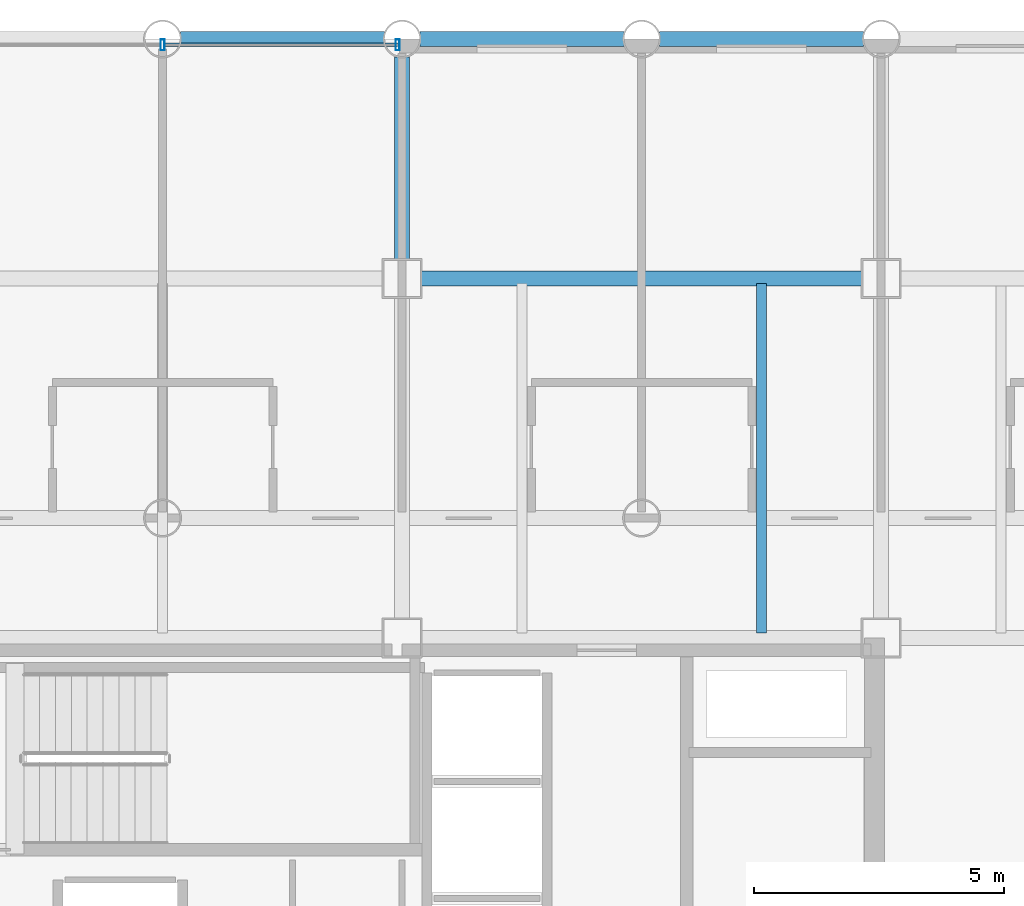
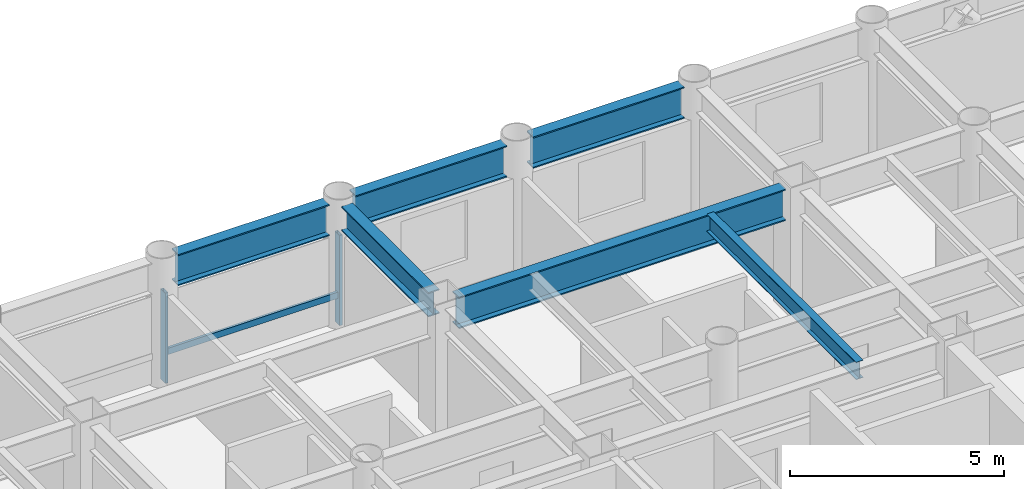
# One storey, part 12 of 22: 6 beams, 3 members, 1 element without a shape of its own.
"""IFC4 building model written with IfcOpenShell, lengths in metres."""

from ifc_helpers import new_model, si_unit, direction, frame, origin, origin_2d, place, context, subcontext, project, spatial, hollow_rectangle, i_section, extrude, material, layer, layer_set, material_profile, profile_set, type_object, element, aggregate, save


model = new_model("IFC4")

# Units and contexts
model_context = context("Model", 3, precision=1e-05, world=origin(), true_north=direction((0.0, 1.0)))
body_context = subcontext(model_context, "Body", "Model", "MODEL_VIEW")
ifc_project = project(units=[si_unit("LENGTHUNIT", "METRE"), si_unit("AREAUNIT", "SQUARE_METRE"), si_unit("VOLUMEUNIT", "CUBIC_METRE"), si_unit("PLANEANGLEUNIT", "RADIAN"), si_unit("MASSUNIT", "GRAM", prefix="KILO")], contexts=[model_context])

# Site, building, storey
site_placement = place(None, origin())
site = spatial("IfcSite", under=ifc_project, at=site_placement, CompositionType="ELEMENT")
building_placement = place(site_placement, origin())
building = spatial("IfcBuilding", under=site, at=building_placement, Name="Kallvorn Hotel Tower", CompositionType="ELEMENT")
storey_placement = place(building_placement, frame((0.0, 0.0, 33.699951171875)))
storey = spatial("IfcBuildingStorey", under=building, at=storey_placement, Name="L06", CompositionType="ELEMENT", Elevation=33.699951171875)

# Beams
ifc_material_1 = material(Name="Structural steel S355JR", Category="steel")
ifc_material_profile_1 = material_profile(ifc_material_1, i_section(OverallWidth=0.300048828125, OverallDepth=0.699951171875, WebThickness=0.01708984375, FlangeThickness=0.031982421875, at=origin_2d()), Name="HE 700 B")
ifc_profile_set_1 = profile_set([ifc_material_profile_1], Name="Structural steel S355JR")
beam_type_1 = type_object("IfcBeamType", Name="BM_HE700B", PredefinedType="BEAM", material=ifc_profile_set_1)
beam_1_placement = place(storey_placement, frame((4.800048828125, 14.77490234375, 3.170166015625), z_axis=(0.0, 1.0, 0.0), x_axis=(-1.0, 0.0, 0.0)))
element("IfcBeam", 1, at=beam_1_placement, inside=storey, type_object=beam_type_1, Name="L07 Primary Y-Girder 118", PredefinedType="BEAM", context=body_context, shape_type="SweptSolid", body=[
    extrude(i_section(OverallWidth=0.300048828125, OverallDepth=0.699951171875, WebThickness=0.01708984375, FlangeThickness=0.031982421875, at=origin_2d()), origin(), (0.0, 0.0, 1.0), 4.069091796875),
])
ifc_material_2 = material(Name="Structural steel S355JR", Category="steel")
ifc_material_profile_2 = material_profile(ifc_material_2, i_section(OverallWidth=0.300048828125, OverallDepth=0.89990234375, WebThickness=0.0185546875, FlangeThickness=0.034912109375, at=origin_2d()), Name="HE 900 B")
ifc_profile_set_2 = profile_set([ifc_material_profile_2], Name="Structural steel S355JR")
beam_type_2 = type_object("IfcBeamType", Name="BM_HE900B", PredefinedType="BEAM", material=ifc_profile_set_2)
beam_2_placement = place(storey_placement, frame((5.175048828125, 14.39990234375, 3.070068359375), z_axis=(1.0, 0.0, 0.0), x_axis=(0.0, 1.0, 0.0)))
element("IfcBeam", 2, at=beam_2_placement, inside=storey, type_object=beam_type_2, Name="L07 Primary X-Girder 57", PredefinedType="BEAM", context=body_context, shape_type="SweptSolid", body=[
    extrude(i_section(OverallWidth=0.300048828125, OverallDepth=0.89990234375, WebThickness=0.0185546875, FlangeThickness=0.034912109375, at=origin_2d()), origin(), (0.0, 0.0, 1.0), 8.849853515625),
])
beam_3_placement = place(storey_placement, frame((0.35595703125, 19.199951171875, 3.070068359375), z_axis=(1.0, 0.0, 0.0), x_axis=(0.0, 1.0, 0.0)))
element("IfcBeam", 3, at=beam_3_placement, inside=storey, type_object=beam_type_2, Name="L07 Primary X-Girder 67", PredefinedType="BEAM", context=body_context, shape_type="SweptSolid", body=[
    extrude(i_section(OverallWidth=0.300048828125, OverallDepth=0.89990234375, WebThickness=0.0185546875, FlangeThickness=0.034912109375, at=origin_2d()), origin(), (0.0, 0.0, 1.0), 4.088134765625),
])
for number, where, z_axis, x_axis, name in (
    (4, (5.156005859375, 19.199951171875, 3.070068359375), (1.0, 0.0, 0.0), (0.0, 1.0, 0.0), "L07 Primary X-Girder 68"),
    (5, (9.9560546875, 19.199951171875, 3.070068359375), (1.0, 0.0, 0.0), (0.0, 1.0, 0.0), "L07 Primary X-Girder 69"),
):
    element("IfcBeam", number, at=place(storey_placement, frame(where, z_axis=z_axis, x_axis=x_axis)), inside=storey, type_object=beam_type_2, Name=name, PredefinedType="BEAM", context=body_context, shape_type="SweptSolid", body=[
        extrude(i_section(OverallWidth=0.300048828125, OverallDepth=0.89990234375, WebThickness=0.0185546875, FlangeThickness=0.034912109375, at=origin_2d()), origin(), (0.0, 0.0, 1.0), 4.087890625),
    ])
ifc_material_3 = material(Name="Structural steel S355JR", Category="steel")
ifc_material_profile_3 = material_profile(ifc_material_3, i_section(OverallWidth=0.199951171875, OverallDepth=0.5, WebThickness=0.01025390625, FlangeThickness=0.01611328125, at=origin_2d()), Name="IPE 500")
ifc_profile_set_3 = profile_set([ifc_material_profile_3], Name="Structural steel S355JR")
beam_type_3 = type_object("IfcBeamType", Name="BM_IPE500", PredefinedType="JOIST", material=ifc_profile_set_3)
beam_4_placement = place(storey_placement, frame((12.0, 7.300048828125, 3.27001953125), z_axis=(0.0, 1.0, 0.0), x_axis=(-1.0, 0.0, 0.0)))
element("IfcBeam", 6, at=beam_4_placement, inside=storey, type_object=beam_type_3, Name="L07 Secondary Composite Joist 205", PredefinedType="JOIST", context=body_context, shape_type="SweptSolid", body=[
    extrude(i_section(OverallWidth=0.199951171875, OverallDepth=0.5, WebThickness=0.01025390625, FlangeThickness=0.01611328125, at=origin_2d()), origin(), (0.0, 0.0, 1.0), 7.0),
])

# Curtain wall, members
ifc_material_4 = material(Name="Thermally broken black-anodised aluminium AA 6063-T6", Category="aluminium")
ifc_layer = layer(ifc_material_4, 0.199951171875)
ifc_layer_set = layer_set([ifc_layer], Name="CW_SYS_3_HOTEL_LOW")
curtain_wall_type = type_object("IfcCurtainWallType", Name="CW_SYS_3_HOTEL_LOW", PredefinedType="USERDEFINED", material=ifc_layer_set)
curtain_wall_placement = place(storey_placement, origin())
curtain_wall = element("IfcCurtainWall", 7, at=curtain_wall_placement, inside=storey, type_object=curtain_wall_type, Name="L06 Dark-Glass Curtain Wall CW-L06-NC", ObjectType="UNITISED CURTAIN WALL", PredefinedType="USERDEFINED")
ifc_material_5 = material(Name="Thermally broken black-anodised aluminium AA 6063-T6", Category="aluminium")
ifc_material_profile_4 = material_profile(ifc_material_5, hollow_rectangle(XDim=0.080078125, YDim=0.219970703125, WallThickness=0.0048828125, at=origin_2d()), Name="MUL 220x80")
ifc_profile_set_4 = profile_set([ifc_material_profile_4], Name="Thermally broken black-anodised aluminium AA 6063-T6")
member_type_1 = type_object("IfcMemberType", Name="CW_MULLION_220x80", PredefinedType="MULLION", material=ifc_profile_set_4)
member_1_placement = place(storey_placement, frame((0.0, 19.080078125, 0.02001953125), z_axis=(0.0, 0.0, 1.0), x_axis=(1.0, 0.0, 0.0)))
member_1 = element("IfcMember", 8, at=member_1_placement, type_object=member_type_1, Name="CW-L06-NC Mullion 01", PredefinedType="MULLION", context=body_context, shape_type="SweptSolid", body=[
    extrude(hollow_rectangle(XDim=0.080078125, YDim=0.219970703125, WallThickness=0.0048828125, at=origin_2d()), origin(), (0.0, 0.0, 1.0), 2.580078125),
])
member_2_placement = place(storey_placement, frame((4.7099609375, 19.080078125, 0.02001953125), z_axis=(0.0, 0.0, 1.0), x_axis=(1.0, 0.0, 0.0)))
member_2 = element("IfcMember", 9, at=member_2_placement, type_object=member_type_1, Name="CW-L06-NC Mullion 02", PredefinedType="MULLION", context=body_context, shape_type="SweptSolid", body=[
    extrude(hollow_rectangle(XDim=0.080078125, YDim=0.219970703125, WallThickness=0.0048828125, at=origin_2d()), origin(), (0.0, 0.0, 1.0), 2.580078125),
])
ifc_material_6 = material(Name="Thermally broken black-anodised aluminium AA 6063-T6", Category="aluminium")
ifc_material_profile_5 = material_profile(ifc_material_6, hollow_rectangle(XDim=0.070068359375, YDim=0.179931640625, WallThickness=0.00390625, at=origin_2d()), Name="TRN 180x70")
ifc_profile_set_5 = profile_set([ifc_material_profile_5], Name="Thermally broken black-anodised aluminium AA 6063-T6")
member_type_2 = type_object("IfcMemberType", Name="CW_TRANSOM_180x70", PredefinedType="USERDEFINED", material=ifc_profile_set_5)
member_3_placement = place(storey_placement, frame((0.0400390625, 19.080078125, 0.85009765625), z_axis=(1.0, 0.0, 0.0), x_axis=(0.0, 1.0, 0.0)))
member_3 = element("IfcMember", 10, at=member_3_placement, type_object=member_type_2, Name="CW-L06-NC Transom 01M", ObjectType="TRANSOM", PredefinedType="USERDEFINED", context=body_context, shape_type="SweptSolid", body=[
    extrude(hollow_rectangle(XDim=0.070068359375, YDim=0.179931640625, WallThickness=0.00390625, at=origin_2d()), origin(), (0.0, 0.0, 1.0), 4.669921875),
])
aggregate(curtain_wall, [member_1, member_2, member_3])

save(model, "model.ifc")
